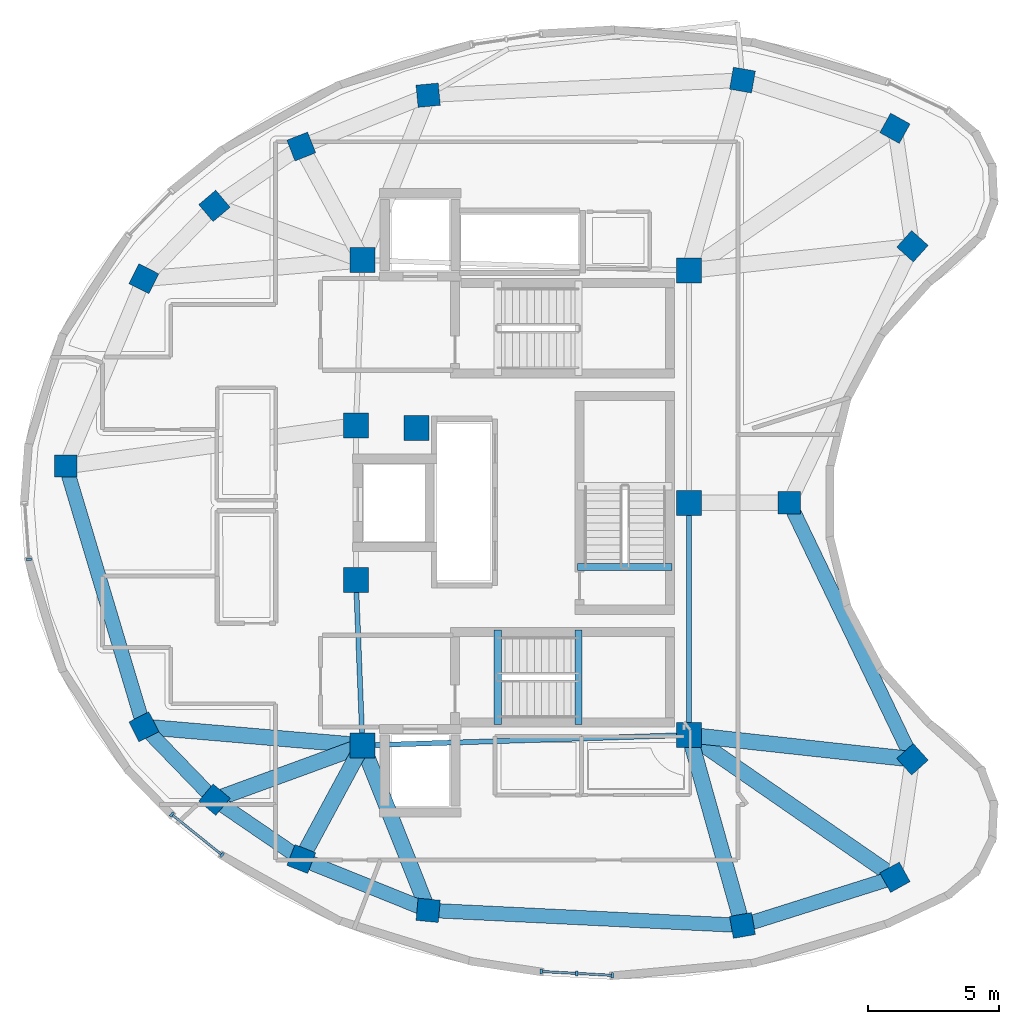
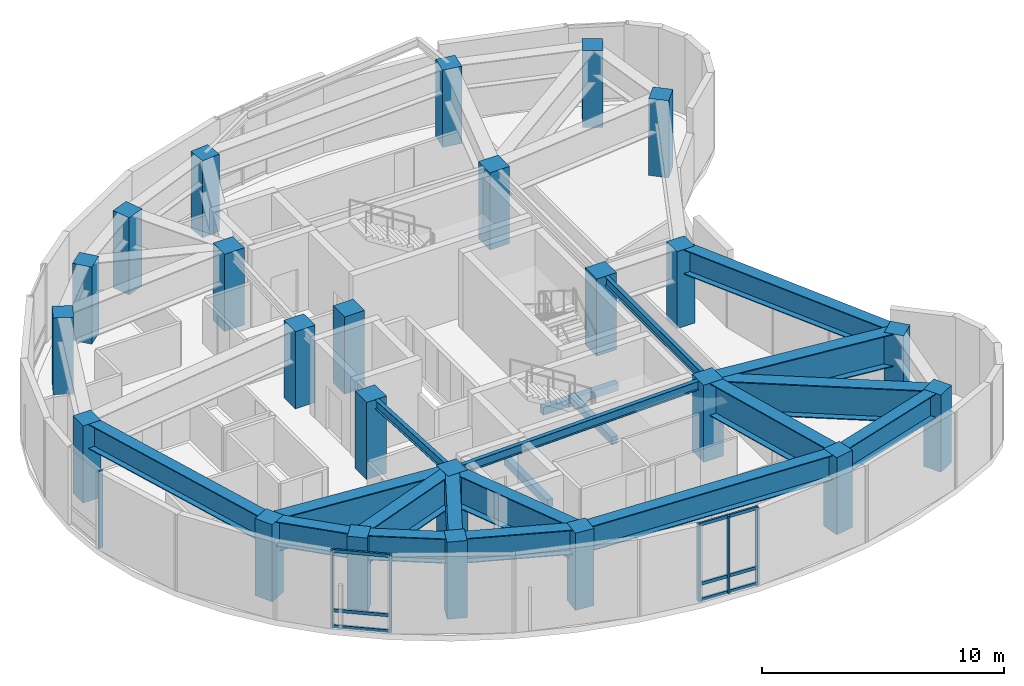
# One storey, part 1 of 8: 24 columns, 20 beams, 15 members, 3 elements without a shape of their own.
"""IFC4 building model written with IfcOpenShell, lengths in metres."""

from ifc_helpers import new_model, si_unit, direction, frame, origin, origin_2d, place, context, subcontext, project, spatial, rectangle, i_section, extrude, material, layer, layer_set, material_profile, profile_set, type_object, element, aggregate, save


model = new_model("IFC4")

# Units and contexts
model_context = context("Model", 3, precision=1e-05, world=origin(), true_north=direction((0.0, 1.0)))
body_context = subcontext(model_context, "Body", "Model", "MODEL_VIEW")
ifc_project = project(units=[si_unit("LENGTHUNIT", "METRE"), si_unit("AREAUNIT", "SQUARE_METRE"), si_unit("VOLUMEUNIT", "CUBIC_METRE"), si_unit("PLANEANGLEUNIT", "RADIAN"), si_unit("MASSUNIT", "GRAM", prefix="KILO")], contexts=[model_context])

# Site, building, storey
site_placement = place(None, origin())
site = spatial("IfcSite", under=ifc_project, at=site_placement, CompositionType="ELEMENT")
building_placement = place(site_placement, origin())
building = spatial("IfcBuilding", under=site, at=building_placement, Name="Korentha Bioscience Tower", CompositionType="ELEMENT")
storey_placement = place(building_placement, frame((0.0, 0.0, 301.800048828125)))
storey = spatial("IfcBuildingStorey", under=building, at=storey_placement, Name="L69", CompositionType="ELEMENT", Elevation=301.800048828125)

# Columns
ifc_material_1 = material(Name="Concrete C65", Category="concrete")
ifc_material_profile_1 = material_profile(ifc_material_1, rectangle(XDim=0.949951171875, YDim=0.949951171875, at=origin_2d()), Name="Concrete C65")
ifc_profile_set_1 = profile_set([ifc_material_profile_1], Name="Concrete C65 (COL-CP09)")
column_type_1 = type_object("IfcColumnType", Name="Core Pilaster Column RC 950x950", PredefinedType="PILASTER", material=ifc_profile_set_1)
for number, where, z_axis, x_axis, name in (
    (1, (37.550048828125, 35.85009765625, -0.00048828125), (0.0, 0.0, 1.0), (1.0, 0.0, 0.0), "L69 Core Pilaster CP-01"),
    (2, (25.10009765625, 36.25, -0.00048828125), (0.0, 0.0, 1.0), (1.0, 0.0, 0.0), "L69 Core Pilaster CP-02"),
    (3, (24.85009765625, 29.949951171875, -0.00048828125), (0.0, 0.0, 1.0), (1.0, 0.0, 0.0), "L69 Core Pilaster CP-03"),
    (4, (27.14990234375, 29.85009765625, -0.00048828125), (0.0, 0.0, 1.0), (1.0, 0.0, 0.0), "L69 Core Pilaster CP-04"),
    (5, (24.85009765625, 24.050048828125, -0.00048828125), (0.0, 0.0, 1.0), (1.0, 0.0, 0.0), "L69 Core Pilaster CP-05"),
    (6, (25.10009765625, 17.75, -0.00048828125), (0.0, 0.0, 1.0), (1.0, 0.0, 0.0), "L69 Core Pilaster CP-06"),
    (7, (37.550048828125, 18.14990234375, -0.00048828125), (0.0, 0.0, 1.0), (1.0, 0.0, 0.0), "L69 Core Pilaster CP-07"),
    (8, (37.550048828125, 27.0, -0.00048828125), (0.0, 0.0, 1.0), (1.0, 0.0, 0.0), "L69 Core Pilaster CP-08"),
):
    element("IfcColumn", number, at=place(storey_placement, frame(where, z_axis=z_axis, x_axis=x_axis)), inside=storey, type_object=column_type_1, Name=name, PredefinedType="PILASTER", context=body_context, shape_type="SweptSolid", body=[
        extrude(rectangle(XDim=0.949951171875, YDim=0.949951171875, at=origin_2d()), origin(), (0.0, 0.0, 1.0), 3.90087890625),
    ])
ifc_material_2 = material(Name="Concrete C50", Category="concrete")
ifc_material_profile_2 = material_profile(ifc_material_2, rectangle(XDim=0.85009765625, YDim=0.85009765625, at=origin_2d()), Name="Concrete C50")
ifc_profile_set_2 = profile_set([ifc_material_profile_2], Name="Concrete C50 (COL-P08)")
column_type_2 = type_object("IfcColumnType", Name="Perimeter Column RC 850x850", PredefinedType="COLUMN", material=ifc_profile_set_2)
for number, where, z_axis, x_axis, name in (
    (9, (45.393310546875, 41.273681640625, -0.00048828125), (0.0, 0.0, 1.0), (-0.874535078577, 0.484962262797, 0.0), "L69 Perimeter Column 01"),
    (10, (39.581787109375, 43.110595703125, -0.00048828125), (0.0, 0.0, 1.0), (-0.984868307662, 0.173304404339, 0.0), "L69 Perimeter Column 02"),
    (11, (27.60205078125, 42.53369140625, -0.00048828125), (0.0, 0.0, 1.0), (0.995462868748, 0.095150811579, 0.0), "L69 Perimeter Column 03"),
    (12, (22.766357421875, 40.57861328125, -0.00048828125), (0.0, 0.0, 1.0), (0.930225540858, 0.366988341962, 0.0), "L69 Perimeter Column 04"),
    (13, (19.455810546875, 38.315185546875, -0.00048828125), (0.0, 0.0, 1.0), (0.764246456939, 0.644924300253, 0.0), "L69 Perimeter Column 05"),
    (14, (16.76708984375, 35.53955078125, -0.00048828125), (0.0, 0.0, 1.0), (0.453057191132, 0.891481453292, 0.0), "L69 Perimeter Column 06"),
    (15, (13.791015625, 28.398681640625, -0.00048828125), (0.0, 0.0, 1.0), (0.0, 1.0, 0.0), "L69 Perimeter Column 07"),
    (16, (16.76708984375, 18.46044921875, -0.00048828125), (0.0, 0.0, 1.0), (-0.453057191132, 0.891481453292, 0.0), "L69 Perimeter Column 08"),
    (17, (19.455810546875, 15.684814453125, -0.00048828125), (0.0, 0.0, 1.0), (-0.764246456939, 0.644924300253, 0.0), "L69 Perimeter Column 09"),
    (18, (22.766357421875, 13.42138671875, -0.00048828125), (0.0, 0.0, 1.0), (-0.930225540858, 0.366988341962, 0.0), "L69 Perimeter Column 10"),
    (19, (27.60205078125, 11.46630859375, -0.00048828125), (0.0, 0.0, 1.0), (-0.995462868748, 0.095150811579, 0.0), "L69 Perimeter Column 11"),
    (20, (39.581787109375, 10.889404296875, -0.00048828125), (0.0, 0.0, 1.0), (0.984868307662, 0.173304404339, 0.0), "L69 Perimeter Column 12"),
    (21, (45.393310546875, 12.726318359375, -0.00048828125), (0.0, 0.0, 1.0), (0.874535078577, 0.484962262797, 0.0), "L69 Perimeter Column 13"),
    (22, (46.060791015625, 17.22265625, -0.00048828125), (0.0, 0.0, 1.0), (-0.669130606359, 0.743144825477, 0.0), "L69 Perimeter Column 14"),
    (23, (41.36572265625, 27.0, -0.00048828125), (0.0, 0.0, 1.0), (0.0, 1.0, 0.0), "L69 Perimeter Column 15"),
    (24, (46.060791015625, 36.77734375, -0.00048828125), (0.0, 0.0, 1.0), (0.669130606359, 0.743144825477, 0.0), "L69 Perimeter Column 16"),
):
    element("IfcColumn", number, at=place(storey_placement, frame(where, z_axis=z_axis, x_axis=x_axis)), inside=storey, type_object=column_type_2, Name=name, PredefinedType="COLUMN", context=body_context, shape_type="SweptSolid", body=[
        extrude(rectangle(XDim=0.85009765625, YDim=0.85009765625, at=origin_2d()), origin(), (0.0, 0.0, 1.0), 3.90087890625),
    ])

# Beams
ifc_material_profile_3 = material_profile(ifc_material_2, rectangle(XDim=0.280029296875, YDim=0.3798828125, at=origin_2d()), Name="Concrete C50")
ifc_profile_set_3 = profile_set([ifc_material_profile_3], Name="Concrete C50 (ST-HB380)")
beam_type_1 = type_object("IfcBeamType", Name="Concrete Stair Header Beam RC 280x380", PredefinedType="BEAM", material=ifc_profile_set_3)
for number, where, z_axis, x_axis, name in (
    (25, (30.25, 18.550048828125, -0.18994140625), (0.0, 1.0, 0.0), (-1.0, 0.0, 0.0), "L69 ST-2 Concrete Stair Header Beam"),
    (26, (33.330078125, 18.550048828125, 1.909912109375), (0.0, 1.0, 0.0), (-1.0, 0.0, 0.0), "L69 ST-2 Half-Landing Header Beam 1"),
    (27, (36.89990234375, 24.550048828125, -0.18994140625), (-1.0, 0.0, 0.0), (0.0, -1.0, 0.0), "L69 ST-3 Concrete Stair Header Beam"),
):
    element("IfcBeam", number, at=place(storey_placement, frame(where, z_axis=z_axis, x_axis=x_axis)), inside=storey, type_object=beam_type_1, Name=name, PredefinedType="BEAM", context=body_context, shape_type="SweptSolid", body=[
        extrude(rectangle(XDim=0.280029296875, YDim=0.3798828125, at=origin_2d()), origin(), (0.0, 0.0, 1.0), 3.599853515625),
    ])
ifc_material_3 = material(Name="Steel S355", Category="steel")
ifc_material_profile_4 = material_profile(ifc_material_3, i_section(OverallWidth=0.550048828125, OverallDepth=1.25, WebThickness=0.02392578125, FlangeThickness=0.0400390625, at=origin_2d()), Name="Steel S355")
ifc_profile_set_4 = profile_set([ifc_material_profile_4], Name="Steel S355 (TG-03)")
beam_type_2 = type_object("IfcBeamType", Name="Crown Step Transfer Girder CVS 1250x510", PredefinedType="USERDEFINED", material=ifc_profile_set_4)
beam_1_placement = place(storey_placement, frame((13.791015625, 28.398681640625, 3.27490234375), z_axis=(0.286870707223, -0.957969309183, 0.0), x_axis=(0.957969309183, 0.286870707223, 0.0)))
element("IfcBeam", 28, at=beam_1_placement, inside=storey, type_object=beam_type_2, Name="L69 Perimeter Spandrel Girder 07", ObjectType="TRANSFER_GIRDER", PredefinedType="USERDEFINED", context=body_context, shape_type="SweptSolid", body=[
    extrude(i_section(OverallWidth=0.550048828125, OverallDepth=1.25, WebThickness=0.02392578125, FlangeThickness=0.0400390625, at=origin_2d()), origin(), (0.0, 0.0, 1.0), 10.374267578125),
])
beam_2_placement = place(storey_placement, frame((16.76708984375, 18.46044921875, 3.27490234375), z_axis=(0.695771790517, -0.718262915317, 0.0), x_axis=(0.718262915317, 0.695771790517, 0.0)))
element("IfcBeam", 29, at=beam_2_placement, inside=storey, type_object=beam_type_2, Name="L69 Perimeter Spandrel Girder 08", ObjectType="TRANSFER_GIRDER", PredefinedType="USERDEFINED", context=body_context, shape_type="SweptSolid", body=[
    extrude(i_section(OverallWidth=0.550048828125, OverallDepth=1.25, WebThickness=0.02392578125, FlangeThickness=0.0400390625, at=origin_2d()), origin(), (0.0, 0.0, 1.0), 3.8642578125),
])
beam_3_placement = place(storey_placement, frame((19.455810546875, 15.684814453125, 3.27490234375), z_axis=(0.825502824703, -0.564397985828, 0.0), x_axis=(0.564397985828, 0.825502824703, 0.0)))
element("IfcBeam", 30, at=beam_3_placement, inside=storey, type_object=beam_type_2, Name="L69 Perimeter Spandrel Girder 09", ObjectType="TRANSFER_GIRDER", PredefinedType="USERDEFINED", context=body_context, shape_type="SweptSolid", body=[
    extrude(i_section(OverallWidth=0.550048828125, OverallDepth=1.25, WebThickness=0.02392578125, FlangeThickness=0.0400390625, at=origin_2d()), origin(), (0.0, 0.0, 1.0), 4.01025390625),
])
beam_4_placement = place(storey_placement, frame((22.766357421875, 13.42138671875, 3.27490234375), z_axis=(0.92709518526, -0.374825982913, 0.0), x_axis=(0.374825982913, 0.92709518526, 0.0)))
element("IfcBeam", 31, at=beam_4_placement, inside=storey, type_object=beam_type_2, Name="L69 Perimeter Spandrel Girder 10", ObjectType="TRANSFER_GIRDER", PredefinedType="USERDEFINED", context=body_context, shape_type="SweptSolid", body=[
    extrude(i_section(OverallWidth=0.550048828125, OverallDepth=1.25, WebThickness=0.02392578125, FlangeThickness=0.0400390625, at=origin_2d()), origin(), (0.0, 0.0, 1.0), 5.216064453125),
])
beam_5_placement = place(storey_placement, frame((27.60205078125, 11.46630859375, 3.27490234375), z_axis=(0.998842480099, -0.04810093502, 0.0), x_axis=(0.04810093502, 0.998842480099, 0.0)))
element("IfcBeam", 32, at=beam_5_placement, inside=storey, type_object=beam_type_2, Name="L69 Perimeter Spandrel Girder 11", ObjectType="TRANSFER_GIRDER", PredefinedType="USERDEFINED", context=body_context, shape_type="SweptSolid", body=[
    extrude(i_section(OverallWidth=0.550048828125, OverallDepth=1.25, WebThickness=0.02392578125, FlangeThickness=0.0400390625, at=origin_2d()), origin(), (0.0, 0.0, 1.0), 11.99365234375),
])
beam_6_placement = place(storey_placement, frame((39.581787109375, 10.889404296875, 3.27490234375), z_axis=(0.953502720539, 0.301384408895, 0.0), x_axis=(-0.301384408895, 0.953502720539, 0.0)))
element("IfcBeam", 33, at=beam_6_placement, inside=storey, type_object=beam_type_2, Name="L69 Perimeter Spandrel Girder 12", ObjectType="TRANSFER_GIRDER", PredefinedType="USERDEFINED", context=body_context, shape_type="SweptSolid", body=[
    extrude(i_section(OverallWidth=0.550048828125, OverallDepth=1.25, WebThickness=0.02392578125, FlangeThickness=0.0400390625, at=origin_2d()), origin(), (0.0, 0.0, 1.0), 6.094970703125),
])
beam_7_placement = place(storey_placement, frame((46.060791015625, 17.22265625, 3.27490234375), z_axis=(-0.432876684637, 0.901453146812, 0.0), x_axis=(-0.901453146812, -0.432876684637, 0.0)))
element("IfcBeam", 34, at=beam_7_placement, inside=storey, type_object=beam_type_2, Name="L69 Perimeter Spandrel Girder 14", ObjectType="TRANSFER_GIRDER", PredefinedType="USERDEFINED", context=body_context, shape_type="SweptSolid", body=[
    extrude(i_section(OverallWidth=0.550048828125, OverallDepth=1.25, WebThickness=0.02392578125, FlangeThickness=0.0400390625, at=origin_2d()), origin(), (0.0, 0.0, 1.0), 10.84619140625),
])
ifc_material_profile_5 = material_profile(ifc_material_3, i_section(OverallWidth=0.60009765625, OverallDepth=1.64990234375, WebThickness=0.02587890625, FlangeThickness=0.0439453125, at=origin_2d()), Name="Steel S355")
ifc_profile_set_5 = profile_set([ifc_material_profile_5], Name="Steel S355 (TG-04)")
beam_type_3 = type_object("IfcBeamType", Name="Deep Setback Transfer Girder CVS 1650x620", PredefinedType="USERDEFINED", material=ifc_profile_set_5)
beam_8_placement = place(storey_placement, frame((25.10009765625, 17.75, 3.074951171875), z_axis=(-0.996385295821, 0.084949056921, 0.0), x_axis=(-0.084949056921, -0.996385295821, 0.0)))
element("IfcBeam", 35, at=beam_8_placement, inside=storey, type_object=beam_type_3, Name="L69 Radial Transfer Girder 08", ObjectType="TRANSFER_GIRDER", PredefinedType="USERDEFINED", context=body_context, shape_type="SweptSolid", body=[
    extrude(i_section(OverallWidth=0.60009765625, OverallDepth=1.64990234375, WebThickness=0.02587890625, FlangeThickness=0.0439453125, at=origin_2d()), origin(), (0.0, 0.0, 1.0), 8.36328125),
])
beam_9_placement = place(storey_placement, frame((25.10009765625, 17.75, 3.074951171875), z_axis=(-0.9391119825, -0.343611240104, 0.0), x_axis=(0.343611240104, -0.9391119825, 0.0)))
element("IfcBeam", 36, at=beam_9_placement, inside=storey, type_object=beam_type_3, Name="L69 Radial Transfer Girder 09", ObjectType="TRANSFER_GIRDER", PredefinedType="USERDEFINED", context=body_context, shape_type="SweptSolid", body=[
    extrude(i_section(OverallWidth=0.60009765625, OverallDepth=1.64990234375, WebThickness=0.02587890625, FlangeThickness=0.0439453125, at=origin_2d()), origin(), (0.0, 0.0, 1.0), 6.01025390625),
])
beam_10_placement = place(storey_placement, frame((25.10009765625, 17.75, 3.074951171875), z_axis=(-0.474564560434, -0.88022069845, 0.0), x_axis=(0.88022069845, -0.474564560434, 0.0)))
element("IfcBeam", 37, at=beam_10_placement, inside=storey, type_object=beam_type_3, Name="L69 Radial Transfer Girder 10", ObjectType="TRANSFER_GIRDER", PredefinedType="USERDEFINED", context=body_context, shape_type="SweptSolid", body=[
    extrude(i_section(OverallWidth=0.60009765625, OverallDepth=1.64990234375, WebThickness=0.02587890625, FlangeThickness=0.0439453125, at=origin_2d()), origin(), (0.0, 0.0, 1.0), 4.917724609375),
])
beam_11_placement = place(storey_placement, frame((25.10009765625, 17.75, 3.074951171875), z_axis=(0.369921439624, -0.929063037962, 0.0), x_axis=(0.929063037962, 0.369921439624, 0.0)))
element("IfcBeam", 38, at=beam_11_placement, inside=storey, type_object=beam_type_3, Name="L69 Radial Transfer Girder 11", ObjectType="TRANSFER_GIRDER", PredefinedType="USERDEFINED", context=body_context, shape_type="SweptSolid", body=[
    extrude(i_section(OverallWidth=0.60009765625, OverallDepth=1.64990234375, WebThickness=0.02587890625, FlangeThickness=0.0439453125, at=origin_2d()), origin(), (0.0, 0.0, 1.0), 6.763427734375),
])
beam_12_placement = place(storey_placement, frame((37.550048828125, 18.14990234375, 3.074951171875), z_axis=(0.269482185926, -0.963005374579, 0.0), x_axis=(0.963005374579, 0.269482185926, 0.0)))
element("IfcBeam", 39, at=beam_12_placement, inside=storey, type_object=beam_type_3, Name="L69 Radial Transfer Girder 12", ObjectType="TRANSFER_GIRDER", PredefinedType="USERDEFINED", context=body_context, shape_type="SweptSolid", body=[
    extrude(i_section(OverallWidth=0.60009765625, OverallDepth=1.64990234375, WebThickness=0.02587890625, FlangeThickness=0.0439453125, at=origin_2d()), origin(), (0.0, 0.0, 1.0), 7.539306640625),
])
beam_13_placement = place(storey_placement, frame((37.550048828125, 18.14990234375, 3.074951171875), z_axis=(0.822504520154, -0.56875857297, 0.0), x_axis=(0.56875857297, 0.822504520154, 0.0)))
element("IfcBeam", 40, at=beam_13_placement, inside=storey, type_object=beam_type_3, Name="L69 Radial Transfer Girder 13", ObjectType="TRANSFER_GIRDER", PredefinedType="USERDEFINED", context=body_context, shape_type="SweptSolid", body=[
    extrude(i_section(OverallWidth=0.60009765625, OverallDepth=1.64990234375, WebThickness=0.02587890625, FlangeThickness=0.0439453125, at=origin_2d()), origin(), (0.0, 0.0, 1.0), 9.535888671875),
])
beam_14_placement = place(storey_placement, frame((37.550048828125, 18.14990234375, 3.074951171875), z_axis=(0.994117259507, -0.108309160975, 0.0), x_axis=(0.108309160975, 0.994117259507, 0.0)))
element("IfcBeam", 41, at=beam_14_placement, inside=storey, type_object=beam_type_3, Name="L69 Radial Transfer Girder 14", ObjectType="TRANSFER_GIRDER", PredefinedType="USERDEFINED", context=body_context, shape_type="SweptSolid", body=[
    extrude(i_section(OverallWidth=0.60009765625, OverallDepth=1.64990234375, WebThickness=0.02587890625, FlangeThickness=0.0439453125, at=origin_2d()), origin(), (0.0, 0.0, 1.0), 8.56103515625),
])
ifc_material_profile_6 = material_profile(ifc_material_3, i_section(OverallWidth=0.18994140625, OverallDepth=0.45703125, WebThickness=0.009033203125, FlangeThickness=0.014404296875, at=origin_2d()), Name="Steel S355")
ifc_profile_set_6 = profile_set([ifc_material_profile_6], Name="Steel S355 (MB-460)")
beam_type_4 = type_object("IfcBeamType", Name="Mid-Ring Tie Girder W460x74", PredefinedType="BEAM", material=ifc_profile_set_6)
beam_15_placement = place(storey_placement, frame((24.85009765625, 24.050048828125, 3.67138671875), z_axis=(0.039651025576, -0.999213588864, 0.0), x_axis=(0.999213588864, 0.039651025576, 0.0)))
element("IfcBeam", 42, at=beam_15_placement, inside=storey, type_object=beam_type_4, Name="L69 Core Ring Tie Girder 04", PredefinedType="BEAM", context=body_context, shape_type="SweptSolid", body=[
    extrude(i_section(OverallWidth=0.18994140625, OverallDepth=0.45703125, WebThickness=0.009033203125, FlangeThickness=0.014404296875, at=origin_2d()), origin(), (0.0, 0.0, 1.0), 6.304931640625),
])
beam_16_placement = place(storey_placement, frame((25.10009765625, 17.75, 3.67138671875), z_axis=(0.999484526071, 0.032104238723, 0.0), x_axis=(-0.032104238723, 0.999484526071, 0.0)))
element("IfcBeam", 43, at=beam_16_placement, inside=storey, type_object=beam_type_4, Name="L69 Core Ring Tie Girder 05", PredefinedType="BEAM", context=body_context, shape_type="SweptSolid", body=[
    extrude(i_section(OverallWidth=0.18994140625, OverallDepth=0.45703125, WebThickness=0.009033203125, FlangeThickness=0.014404296875, at=origin_2d()), origin(), (0.0, 0.0, 1.0), 12.456298828125),
])
beam_17_placement = place(storey_placement, frame((37.550048828125, 18.14990234375, 3.67138671875), z_axis=(0.0, 1.0, 0.0), x_axis=(-1.0, 0.0, 0.0)))
element("IfcBeam", 44, at=beam_17_placement, inside=storey, type_object=beam_type_4, Name="L69 Core Ring Tie Girder 06", PredefinedType="BEAM", context=body_context, shape_type="SweptSolid", body=[
    extrude(i_section(OverallWidth=0.18994140625, OverallDepth=0.45703125, WebThickness=0.009033203125, FlangeThickness=0.014404296875, at=origin_2d()), origin(), (0.0, 0.0, 1.0), 8.85009765625),
])

# Curtain wall, member
ifc_material_4 = material(Name="Thermally Broken Aluminium Frame", Category="aluminium")
ifc_layer = layer(ifc_material_4, 0.219970703125, Name="Thermally Broken Aluminium Frame")
ifc_layer_set = layer_set([ifc_layer], Name="Thermally Broken Aluminium Frame (CW-T1)")
curtain_wall_type = type_object("IfcCurtainWallType", Name="Standard Bioscience Lab Unitised Curtain Wall CW-T1", PredefinedType="USERDEFINED", material=ifc_layer_set)
curtain_wall_1_placement = place(storey_placement, origin())
curtain_wall_1 = element("IfcCurtainWall", 45, at=curtain_wall_1_placement, inside=storey, type_object=curtain_wall_type, Name="L69 Curtain Wall 19", ObjectType="UNITISED", PredefinedType="USERDEFINED")
ifc_material_5 = material(Name="Anodised Aluminium 6063-T6", Category="aluminium")
ifc_material_profile_7 = material_profile(ifc_material_5, rectangle(XDim=0.090087890625, YDim=0.199951171875, at=origin_2d()), Name="Anodised Aluminium 6063-T6")
ifc_profile_set_7 = profile_set([ifc_material_profile_7], Name="Anodised Aluminium 6063-T6 (CW-MUL)")
member_type_1 = type_object("IfcMemberType", Name="Mullion RECT 90x200", PredefinedType="MULLION", material=ifc_profile_set_7)
member_1_placement = place(storey_placement, frame((12.38427734375, 24.83740234375, 0.0), z_axis=(0.0, 0.0, 1.0), x_axis=(0.075073021346, -0.997178039001, 0.0)))
member_1 = element("IfcMember", 46, at=member_1_placement, type_object=member_type_1, Name="CW-L69-19 Mullion 2", PredefinedType="MULLION", context=body_context, shape_type="SweptSolid", body=[
    extrude(rectangle(XDim=0.090087890625, YDim=0.199951171875, at=origin_2d()), origin(), (0.0, 0.0, 1.0), 3.89990234375),
])
aggregate(curtain_wall_1, [member_1])

# Curtain wall, members
curtain_wall_2_placement = place(storey_placement, origin())
curtain_wall_2 = element("IfcCurtainWall", 47, at=curtain_wall_2_placement, inside=storey, type_object=curtain_wall_type, Name="L69 Curtain Wall 25", ObjectType="UNITISED", PredefinedType="USERDEFINED")
member_2_placement = place(storey_placement, frame((17.829345703125, 15.1201171875, 0.0), z_axis=(0.0, 0.0, 1.0), x_axis=(0.778807101094, -0.62726350068, 0.0)))
member_2 = element("IfcMember", 48, at=member_2_placement, type_object=member_type_1, Name="CW-L69-25 Mullion 1", PredefinedType="MULLION", context=body_context, shape_type="SweptSolid", body=[
    extrude(rectangle(XDim=0.090087890625, YDim=0.199951171875, at=origin_2d()), origin(), (0.0, 0.0, 1.0), 3.89990234375),
])
member_3_placement = place(storey_placement, frame((19.74609375, 13.576171875, 0.0), z_axis=(0.0, 0.0, 1.0), x_axis=(0.778807101094, -0.62726350068, 0.0)))
member_3 = element("IfcMember", 49, at=member_3_placement, type_object=member_type_1, Name="CW-L69-25 Mullion 2", PredefinedType="MULLION", context=body_context, shape_type="SweptSolid", body=[
    extrude(rectangle(XDim=0.090087890625, YDim=0.199951171875, at=origin_2d()), origin(), (0.0, 0.0, 1.0), 3.89990234375),
])

curtain_wall_3_placement = place(storey_placement, origin())
curtain_wall_3 = element("IfcCurtainWall", 50, at=curtain_wall_3_placement, inside=storey, type_object=curtain_wall_type, Name="L69 Curtain Wall 31", ObjectType="UNITISED", PredefinedType="USERDEFINED")
member_4_placement = place(storey_placement, frame((31.909423828125, 9.13623046875, 0.0), z_axis=(0.0, 0.0, 1.0), x_axis=(0.998526001182, -0.054275454513, 0.0)))
member_4 = element("IfcMember", 51, at=member_4_placement, type_object=member_type_1, Name="CW-L69-31 Mullion 1", PredefinedType="MULLION", context=body_context, shape_type="SweptSolid", body=[
    extrude(rectangle(XDim=0.090087890625, YDim=0.199951171875, at=origin_2d()), origin(), (0.0, 0.0, 1.0), 3.89990234375),
])
member_5_placement = place(storey_placement, frame((33.267333984375, 9.0625, 0.0), z_axis=(0.0, 0.0, 1.0), x_axis=(0.998526001182, -0.054275454513, 0.0)))
member_5 = element("IfcMember", 52, at=member_5_placement, type_object=member_type_1, Name="CW-L69-31 Mullion 2", PredefinedType="MULLION", context=body_context, shape_type="SweptSolid", body=[
    extrude(rectangle(XDim=0.090087890625, YDim=0.199951171875, at=origin_2d()), origin(), (0.0, 0.0, 1.0), 3.89990234375),
])
member_6_placement = place(storey_placement, frame((34.625244140625, 8.988525390625, 0.0), z_axis=(0.0, 0.0, 1.0), x_axis=(0.998526001182, -0.054275454513, 0.0)))
member_6 = element("IfcMember", 53, at=member_6_placement, type_object=member_type_1, Name="CW-L69-31 Mullion 3", PredefinedType="MULLION", context=body_context, shape_type="SweptSolid", body=[
    extrude(rectangle(XDim=0.090087890625, YDim=0.199951171875, at=origin_2d()), origin(), (0.0, 0.0, 1.0), 3.89990234375),
])

# Member
ifc_material_profile_8 = material_profile(ifc_material_5, rectangle(XDim=0.090087890625, YDim=0.159912109375, at=origin_2d()), Name="Anodised Aluminium 6063-T6")
ifc_profile_set_8 = profile_set([ifc_material_profile_8], Name="Anodised Aluminium 6063-T6 (CW-TRN)")
member_type_2 = type_object("IfcMemberType", Name="Transom RECT 90x160", PredefinedType="USERDEFINED", material=ifc_profile_set_8)
member_7_placement = place(storey_placement, frame((17.864501953125, 15.091796875, 0.044921875), z_axis=(0.778815384678, -0.627253215687, 0.0), x_axis=(0.627253215687, 0.778815384678, 0.0)))
member_7 = element("IfcMember", 54, at=member_7_placement, type_object=member_type_2, Name="CW-L69-25 Bay 1 Transom 1", ObjectType="TRANSOM", PredefinedType="USERDEFINED", context=body_context, shape_type="SweptSolid", body=[
    extrude(rectangle(XDim=0.090087890625, YDim=0.159912109375, at=origin_2d()), origin(), (0.0, 0.0, 1.0), 2.37109375),
])

member_8_placement = place(storey_placement, frame((17.864501953125, 15.091796875, 0.849853515625), z_axis=(0.778815384678, -0.627253215687, 0.0), x_axis=(0.627253215687, 0.778815384678, 0.0)))
member_8 = element("IfcMember", 55, at=member_8_placement, type_object=member_type_2, Name="CW-L69-25 Bay 1 Transom 2", ObjectType="TRANSOM", PredefinedType="USERDEFINED", context=body_context, shape_type="SweptSolid", body=[
    extrude(rectangle(XDim=0.090087890625, YDim=0.159912109375, at=origin_2d()), origin(), (0.0, 0.0, 1.0), 2.37109375),
])

member_9_placement = place(storey_placement, frame((17.864501953125, 15.091796875, 3.85498046875), z_axis=(0.778815384678, -0.627253215687, 0.0), x_axis=(0.627253215687, 0.778815384678, 0.0)))
member_9 = element("IfcMember", 56, at=member_9_placement, type_object=member_type_2, Name="CW-L69-25 Bay 1 Transom 3", ObjectType="TRANSOM", PredefinedType="USERDEFINED", context=body_context, shape_type="SweptSolid", body=[
    extrude(rectangle(XDim=0.090087890625, YDim=0.159912109375, at=origin_2d()), origin(), (0.0, 0.0, 1.0), 2.37109375),
])

aggregate(curtain_wall_2, [member_2, member_3, member_7, member_8, member_9])

member_10_placement = place(storey_placement, frame((31.95458984375, 9.1337890625, 0.044921875), z_axis=(0.998518368514, -0.054415693874, 0.0), x_axis=(0.054415693874, 0.998518368514, 0.0)))
member_10 = element("IfcMember", 57, at=member_10_placement, type_object=member_type_2, Name="CW-L69-31 Bay 1 Transom 1", ObjectType="TRANSOM", PredefinedType="USERDEFINED", context=body_context, shape_type="SweptSolid", body=[
    extrude(rectangle(XDim=0.090087890625, YDim=0.159912109375, at=origin_2d()), origin(), (0.0, 0.0, 1.0), 1.269775390625),
])

member_11_placement = place(storey_placement, frame((31.95458984375, 9.1337890625, 0.849853515625), z_axis=(0.998518368514, -0.054415693874, 0.0), x_axis=(0.054415693874, 0.998518368514, 0.0)))
member_11 = element("IfcMember", 58, at=member_11_placement, type_object=member_type_2, Name="CW-L69-31 Bay 1 Transom 2", ObjectType="TRANSOM", PredefinedType="USERDEFINED", context=body_context, shape_type="SweptSolid", body=[
    extrude(rectangle(XDim=0.090087890625, YDim=0.159912109375, at=origin_2d()), origin(), (0.0, 0.0, 1.0), 1.269775390625),
])

member_12_placement = place(storey_placement, frame((31.95458984375, 9.1337890625, 3.85498046875), z_axis=(0.998518368514, -0.054415693874, 0.0), x_axis=(0.054415693874, 0.998518368514, 0.0)))
member_12 = element("IfcMember", 59, at=member_12_placement, type_object=member_type_2, Name="CW-L69-31 Bay 1 Transom 3", ObjectType="TRANSOM", PredefinedType="USERDEFINED", context=body_context, shape_type="SweptSolid", body=[
    extrude(rectangle(XDim=0.090087890625, YDim=0.159912109375, at=origin_2d()), origin(), (0.0, 0.0, 1.0), 1.269775390625),
])

member_13_placement = place(storey_placement, frame((33.312255859375, 9.059814453125, 0.044921875), z_axis=(0.99852936305, -0.054213569576, 0.0), x_axis=(0.054213569576, 0.99852936305, 0.0)))
member_13 = element("IfcMember", 60, at=member_13_placement, type_object=member_type_2, Name="CW-L69-31 Bay 2 Transom 1", ObjectType="TRANSOM", PredefinedType="USERDEFINED", context=body_context, shape_type="SweptSolid", body=[
    extrude(rectangle(XDim=0.090087890625, YDim=0.159912109375, at=origin_2d()), origin(), (0.0, 0.0, 1.0), 1.27001953125),
])

member_14_placement = place(storey_placement, frame((33.312255859375, 9.059814453125, 0.849853515625), z_axis=(0.99852936305, -0.054213569576, 0.0), x_axis=(0.054213569576, 0.99852936305, 0.0)))
member_14 = element("IfcMember", 61, at=member_14_placement, type_object=member_type_2, Name="CW-L69-31 Bay 2 Transom 2", ObjectType="TRANSOM", PredefinedType="USERDEFINED", context=body_context, shape_type="SweptSolid", body=[
    extrude(rectangle(XDim=0.090087890625, YDim=0.159912109375, at=origin_2d()), origin(), (0.0, 0.0, 1.0), 1.27001953125),
])

member_15_placement = place(storey_placement, frame((33.312255859375, 9.059814453125, 3.85498046875), z_axis=(0.99852936305, -0.054213569576, 0.0), x_axis=(0.054213569576, 0.99852936305, 0.0)))
member_15 = element("IfcMember", 62, at=member_15_placement, type_object=member_type_2, Name="CW-L69-31 Bay 2 Transom 3", ObjectType="TRANSOM", PredefinedType="USERDEFINED", context=body_context, shape_type="SweptSolid", body=[
    extrude(rectangle(XDim=0.090087890625, YDim=0.159912109375, at=origin_2d()), origin(), (0.0, 0.0, 1.0), 1.27001953125),
])

aggregate(curtain_wall_3, [member_4, member_5, member_6, member_10, member_11, member_12, member_13, member_14, member_15])

save(model, "model.ifc")
